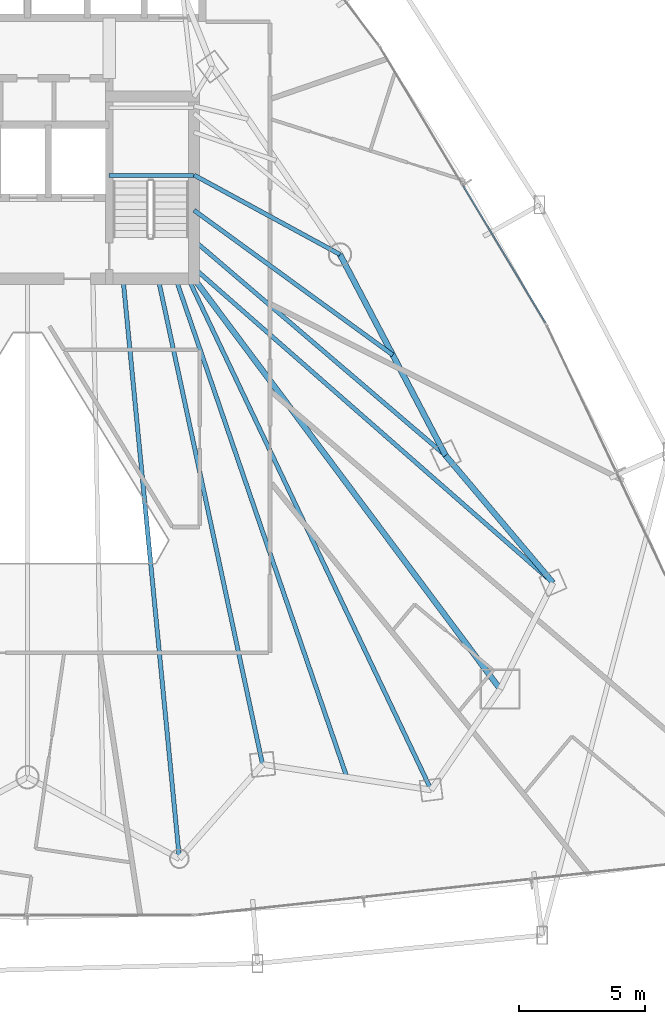
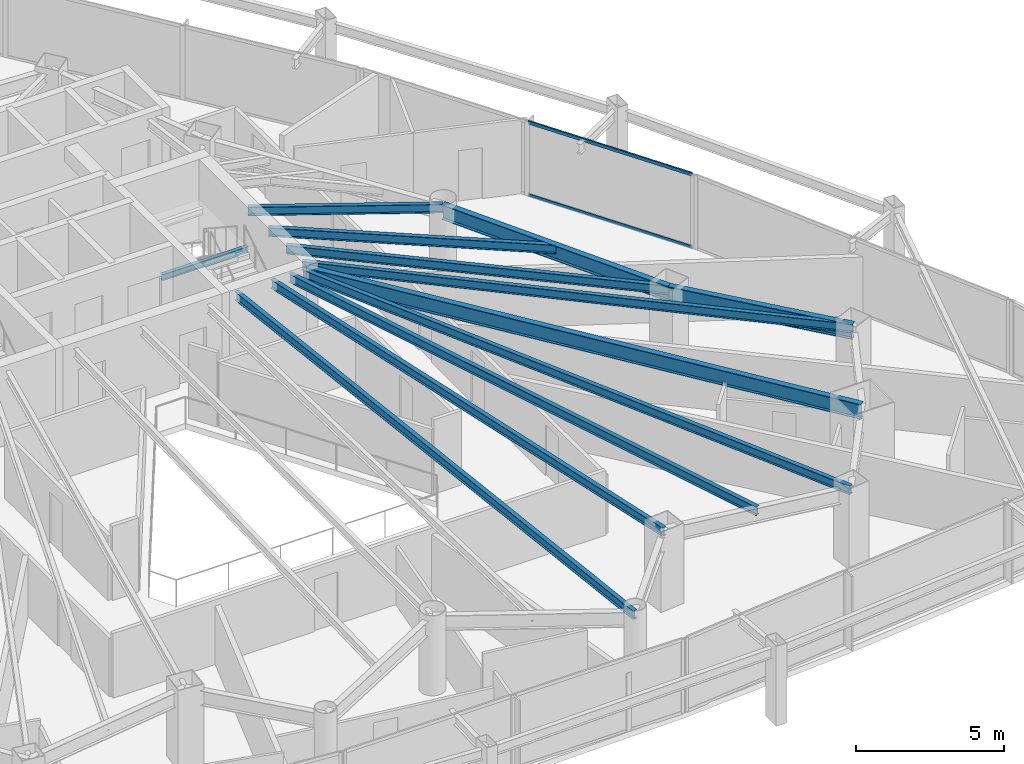
# One storey, part 17 of 35: 12 beams, 2 members, 1 element without a shape of its own.
"""IFC4 building model written with IfcOpenShell, lengths in metres."""

from ifc_helpers import new_model, si_unit, direction, frame, origin, origin_2d, place, context, subcontext, project, spatial, hollow_rectangle, i_section, extrude, material, layer, layer_set, material_profile, profile_set, type_object, element, aggregate, save


model = new_model("IFC4")

# Units and contexts
model_context = context("Model", 3, precision=1e-05, world=origin(), true_north=direction((0.0, 1.0)))
body_context = subcontext(model_context, "Body", "Model", "MODEL_VIEW")
ifc_project = project(units=[si_unit("LENGTHUNIT", "METRE"), si_unit("AREAUNIT", "SQUARE_METRE"), si_unit("VOLUMEUNIT", "CUBIC_METRE"), si_unit("PLANEANGLEUNIT", "RADIAN"), si_unit("MASSUNIT", "GRAM", prefix="KILO")], contexts=[model_context])

# Site, building, storey
site_placement = place(None, origin())
site = spatial("IfcSite", under=ifc_project, at=site_placement, CompositionType="ELEMENT")
building_placement = place(site_placement, origin())
building = spatial("IfcBuilding", under=site, at=building_placement, Name="Orvanel Arch Residences", CompositionType="ELEMENT")
storey_placement = place(building_placement, frame((0.0, 0.0, 36.800048828125)))
storey = spatial("IfcBuildingStorey", under=building, at=storey_placement, Name="L09", CompositionType="ELEMENT", Elevation=36.800048828125)

# Beams
ifc_material_1 = material(Name="Structural steel AS/NZS 3679.1 Grade 300 (300 MPa)", Category="steel")
ifc_material_profile_1 = material_profile(ifc_material_1, i_section(OverallWidth=0.22900390625, OverallDepth=0.612060546875, WebThickness=0.011962890625, FlangeThickness=0.01953125, at=origin_2d()), Name="610UB125")
ifc_profile_set_1 = profile_set([ifc_material_profile_1], Name="Structural steel AS/NZS 3679.1 Grade 300 (300 MPa)")
beam_type_1 = type_object("IfcBeamType", Name="BG-610UB", PredefinedType="BEAM", material=ifc_profile_set_1)
beam_1_placement = place(storey_placement, frame((39.625, 26.675048828125, 2.75390625), z_axis=(0.597893733742, -0.801575375839, 0.0), x_axis=(0.801575375839, 0.597893733742, 0.0)))
element("IfcBeam", 1, at=beam_1_placement, inside=storey, type_object=beam_type_1, Name="L09 South-East Radial Girder", PredefinedType="BEAM", context=body_context, shape_type="SweptSolid", body=[
    extrude(i_section(OverallWidth=0.22900390625, OverallDepth=0.612060546875, WebThickness=0.011962890625, FlangeThickness=0.01953125, at=origin_2d()), origin(), (0.0, 0.0, 1.0), 20.36474609375),
])
ifc_material_profile_2 = material_profile(ifc_material_1, i_section(OverallWidth=0.14599609375, OverallDepth=0.251953125, WebThickness=0.006103515625, FlangeThickness=0.008544921875, at=origin_2d()), Name="250UB31.4")
ifc_profile_set_2 = profile_set([ifc_material_profile_2], Name="Structural steel AS/NZS 3679.1 Grade 300 (300 MPa)")
beam_type_2 = type_object("IfcBeamType", Name="BJ-250UB", PredefinedType="JOIST", material=ifc_profile_set_2)
beam_2_placement = place(storey_placement, frame((36.25, 30.780029296875, 1.323974609375), z_axis=(1.0, 0.0, 0.0), x_axis=(0.0, 1.0, 0.0)))
element("IfcBeam", 2, at=beam_2_placement, inside=storey, type_object=beam_type_2, Name="L09 ST-2 Half-Landing Support Beam 1.1", PredefinedType="JOIST", context=body_context, shape_type="SweptSolid", body=[
    extrude(i_section(OverallWidth=0.14599609375, OverallDepth=0.251953125, WebThickness=0.006103515625, FlangeThickness=0.008544921875, at=origin_2d()), origin(), (0.0, 0.0, 1.0), 3.35009765625),
])
ifc_material_profile_3 = material_profile(ifc_material_1, i_section(OverallWidth=0.1708984375, OverallDepth=0.35595703125, WebThickness=0.00732421875, FlangeThickness=0.011474609375, at=origin_2d()), Name="360UB50.7")
ifc_profile_set_3 = profile_set([ifc_material_profile_3], Name="Structural steel AS/NZS 3679.1 Grade 300 (300 MPa)")
beam_type_3 = type_object("IfcBeamType", Name="BJ-360UB", PredefinedType="JOIST", material=ifc_profile_set_3)
beam_3_placement = place(storey_placement, frame((39.625, 30.800048828125, 2.8818359375), z_axis=(0.878399029914, -0.477927969726, 0.0), x_axis=(0.477927969726, 0.878399029914, 0.0)))
element("IfcBeam", 3, at=beam_3_placement, inside=storey, type_object=beam_type_3, Name="L09 NE Wing Floor Joist", PredefinedType="JOIST", context=body_context, shape_type="SweptSolid", body=[
    extrude(i_section(OverallWidth=0.1708984375, OverallDepth=0.35595703125, WebThickness=0.00732421875, FlangeThickness=0.011474609375, at=origin_2d()), origin(), (0.0, 0.0, 1.0), 6.609619140625),
])
beam_4_placement = place(storey_placement, frame((39.625, 28.199951171875, 2.8818359375), z_axis=(0.760024297953, -0.649894658018, 0.0), x_axis=(0.649894658018, 0.760024297953, 0.0)))
element("IfcBeam", 4, at=beam_4_placement, inside=storey, type_object=beam_type_3, Name="L09 E Wing Floor Joist", PredefinedType="JOIST", context=body_context, shape_type="SweptSolid", body=[
    extrude(i_section(OverallWidth=0.1708984375, OverallDepth=0.35595703125, WebThickness=0.00732421875, FlangeThickness=0.011474609375, at=origin_2d()), origin(), (0.0, 0.0, 1.0), 13.16796875),
])
beam_5_placement = place(storey_placement, frame((38.199951171875, 26.675048828125, 2.8818359375), z_axis=(0.210066515515, -0.977687096703, 0.0), x_axis=(0.977687096703, 0.210066515515, 0.0)))
element("IfcBeam", 5, at=beam_5_placement, inside=storey, type_object=beam_type_3, Name="L09 SE Wing Floor Joist", PredefinedType="JOIST", context=body_context, shape_type="SweptSolid", body=[
    extrude(i_section(OverallWidth=0.1708984375, OverallDepth=0.35595703125, WebThickness=0.00732421875, FlangeThickness=0.011474609375, at=origin_2d()), origin(), (0.0, 0.0, 1.0), 19.760986328125),
])
beam_6_placement = place(storey_placement, frame((39.625, 27.10009765625, 2.8818359375), z_axis=(0.751924114057, -0.659249669472, 0.0), x_axis=(0.659249669472, 0.751924114057, 0.0)))
element("IfcBeam", 6, at=beam_6_placement, inside=storey, type_object=beam_type_3, Name="L09 ME Wing Floor Joist", PredefinedType="JOIST", context=body_context, shape_type="SweptSolid", body=[
    extrude(i_section(OverallWidth=0.1708984375, OverallDepth=0.35595703125, WebThickness=0.00732421875, FlangeThickness=0.011474609375, at=origin_2d()), origin(), (0.0, 0.0, 1.0), 18.9912109375),
])
beam_7_placement = place(storey_placement, frame((39.39990234375, 26.675048828125, 2.8818359375), z_axis=(0.429042657795, -0.903284228686, 0.0), x_axis=(0.903284228686, 0.429042657795, 0.0)))
element("IfcBeam", 7, at=beam_7_placement, inside=storey, type_object=beam_type_3, Name="L09 MSE Wing Floor Joist", PredefinedType="JOIST", context=body_context, shape_type="SweptSolid", body=[
    extrude(i_section(OverallWidth=0.1708984375, OverallDepth=0.35595703125, WebThickness=0.00732421875, FlangeThickness=0.011474609375, at=origin_2d()), origin(), (0.0, 0.0, 1.0), 22.513427734375),
])
beam_8_placement = place(storey_placement, frame((36.800048828125, 26.675048828125, 2.8818359375), z_axis=(0.096724091756, -0.995311232768, 0.0), x_axis=(0.995311232768, 0.096724091756, 0.0)))
element("IfcBeam", 8, at=beam_8_placement, inside=storey, type_object=beam_type_3, Name="L09 LSE Wing Floor Joist", PredefinedType="JOIST", context=body_context, shape_type="SweptSolid", body=[
    extrude(i_section(OverallWidth=0.1708984375, OverallDepth=0.35595703125, WebThickness=0.00732421875, FlangeThickness=0.011474609375, at=origin_2d()), origin(), (0.0, 0.0, 1.0), 23.1787109375),
])
beam_9_placement = place(storey_placement, frame((39.625, 29.39990234375, 2.8818359375), z_axis=(0.808381909511, -0.588658380026, 0.0), x_axis=(0.588658380026, 0.808381909511, 0.0)))
element("IfcBeam", 9, at=beam_9_placement, inside=storey, type_object=beam_type_3, Name="L09 CTE Wing Floor Joist", PredefinedType="JOIST", context=body_context, shape_type="SweptSolid", body=[
    extrude(i_section(OverallWidth=0.1708984375, OverallDepth=0.35595703125, WebThickness=0.00732421875, FlangeThickness=0.011474609375, at=origin_2d()), origin(), (0.0, 0.0, 1.0), 9.78125),
])
beam_10_placement = place(storey_placement, frame((38.89990234375, 26.675048828125, 2.8818359375), z_axis=(0.324621456495, -0.945844019901, 0.0), x_axis=(0.945844019901, 0.324621456495, 0.0)))
element("IfcBeam", 10, at=beam_10_placement, inside=storey, type_object=beam_type_3, Name="L09 JADD2 Wing Floor Joist", PredefinedType="JOIST", context=body_context, shape_type="SweptSolid", body=[
    extrude(i_section(OverallWidth=0.1708984375, OverallDepth=0.35595703125, WebThickness=0.00732421875, FlangeThickness=0.011474609375, at=origin_2d()), origin(), (0.0, 0.0, 1.0), 20.96337890625),
])
ifc_material_profile_4 = material_profile(ifc_material_1, i_section(OverallWidth=0.22900390625, OverallDepth=0.612060546875, WebThickness=0.011962890625, FlangeThickness=0.01953125, at=origin_2d()), Name="610UB125")
ifc_profile_set_4 = profile_set([ifc_material_profile_4], Name="Structural steel AS/NZS 3679.1 Grade 300 (300 MPa)")
beam_type_4 = type_object("IfcBeamType", Name="SP-610UB", PredefinedType="SPANDREL", material=ifc_profile_set_4)
beam_11_placement = place(storey_placement, frame((53.905029296875, 14.580078125, 2.75390625), z_axis=(-0.644950329775, 0.764224490659, 0.0), x_axis=(-0.764224490659, -0.644950329775, 0.0)))
element("IfcBeam", 11, at=beam_11_placement, inside=storey, type_object=beam_type_4, Name="L09 Perimeter Spandrel Beam 12", PredefinedType="SPANDREL", context=body_context, shape_type="SweptSolid", body=[
    extrude(i_section(OverallWidth=0.22900390625, OverallDepth=0.612060546875, WebThickness=0.011962890625, FlangeThickness=0.01953125, at=origin_2d()), origin(), (0.0, 0.0, 1.0), 6.623779296875),
])
beam_12_placement = place(storey_placement, frame((49.633056640625, 19.64208984375, 2.75390625), z_axis=(-0.465064762793, 0.885276660942, 0.0), x_axis=(-0.885276660942, -0.465064762793, 0.0)))
element("IfcBeam", 12, at=beam_12_placement, inside=storey, type_object=beam_type_4, Name="L09 Perimeter Spandrel Beam 13", PredefinedType="SPANDREL", context=body_context, shape_type="SweptSolid", body=[
    extrude(i_section(OverallWidth=0.22900390625, OverallDepth=0.612060546875, WebThickness=0.011962890625, FlangeThickness=0.01953125, at=origin_2d()), origin(), (0.0, 0.0, 1.0), 9.03564453125),
])

# Curtain wall, members
ifc_material_2 = material(Name="Bronze-anodised aluminium AA6063-T6", Category="aluminium")
ifc_layer = layer(ifc_material_2, 0.179931640625)
ifc_layer_set = layer_set([ifc_layer], Name="Bronze-anodised aluminium AA6063-T6")
curtain_wall_type = type_object("IfcCurtainWallType", Name="CW2-LOW-SYS", PredefinedType="NOTDEFINED", material=ifc_layer_set)
curtain_wall_placement = place(storey_placement, origin())
curtain_wall = element("IfcCurtainWall", 13, at=curtain_wall_placement, inside=storey, type_object=curtain_wall_type, Name="L09 CW2-LOW-SYS Unitised Curtain Wall", PredefinedType="NOTDEFINED")
ifc_material_profile_5 = material_profile(ifc_material_2, hollow_rectangle(XDim=0.06005859375, YDim=0.135009765625, WallThickness=0.00390625, at=origin_2d()), Name="ALU135x60x4")
ifc_profile_set_5 = profile_set([ifc_material_profile_5], Name="Bronze-anodised aluminium AA6063-T6")
member_type = type_object("IfcMemberType", Name="TRN-135x60", PredefinedType="USERDEFINED", material=ifc_profile_set_5)
member_1_placement = place(storey_placement, frame((53.592041015625, 24.93896484375, 0.030029296875), z_axis=(-0.514388099447, 0.857557510111, 0.0), x_axis=(-0.857557510111, -0.514388099447, 0.0)))
member_1 = element("IfcMember", 14, at=member_1_placement, type_object=member_type, Name="CW-S2 transom 1.1", ObjectType="TRANSOM", PredefinedType="USERDEFINED", context=body_context, shape_type="SweptSolid", body=[
    extrude(hollow_rectangle(XDim=0.06005859375, YDim=0.135009765625, WallThickness=0.00390625, at=origin_2d()), origin(), (0.0, 0.0, 1.0), 6.336669921875),
])
member_2_placement = place(storey_placement, frame((53.592041015625, 24.93896484375, 3.030029296875), z_axis=(-0.514388099447, 0.857557510111, 0.0), x_axis=(-0.857557510111, -0.514388099447, 0.0)))
member_2 = element("IfcMember", 15, at=member_2_placement, type_object=member_type, Name="CW-S2 transom 1.2", ObjectType="TRANSOM", PredefinedType="USERDEFINED", context=body_context, shape_type="SweptSolid", body=[
    extrude(hollow_rectangle(XDim=0.06005859375, YDim=0.135009765625, WallThickness=0.00390625, at=origin_2d()), origin(), (0.0, 0.0, 1.0), 6.336669921875),
])
aggregate(curtain_wall, [member_1, member_2])

save(model, "model.ifc")
